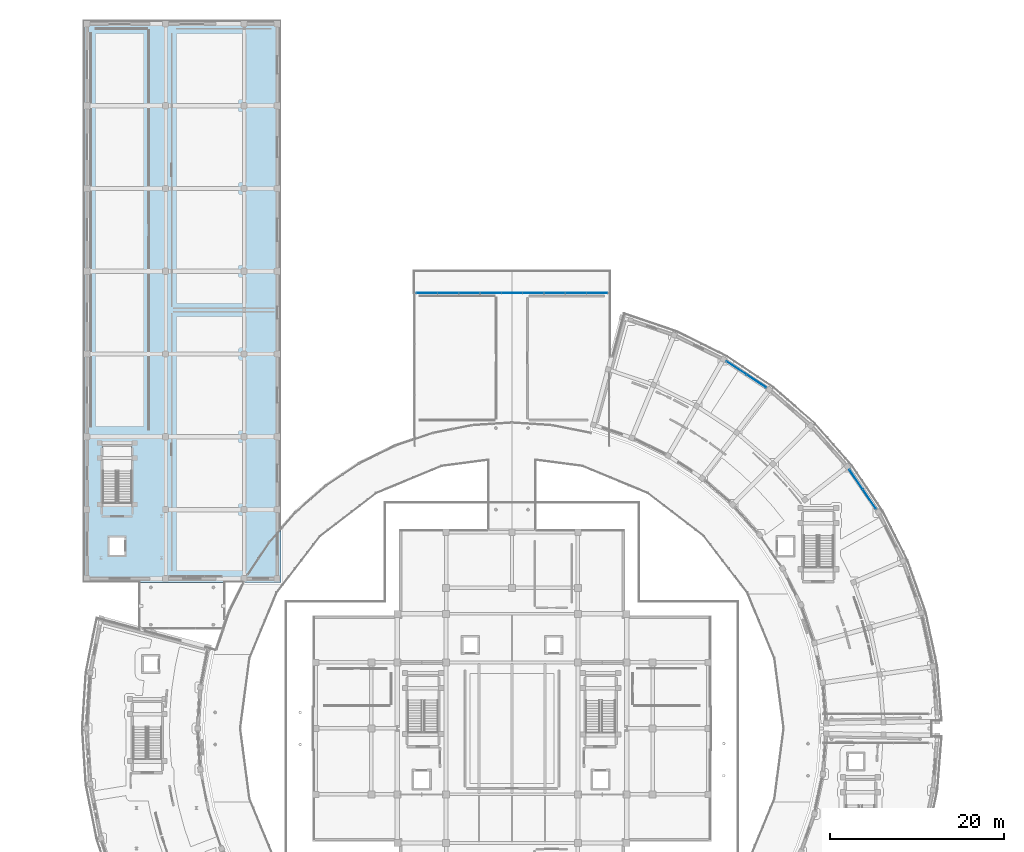
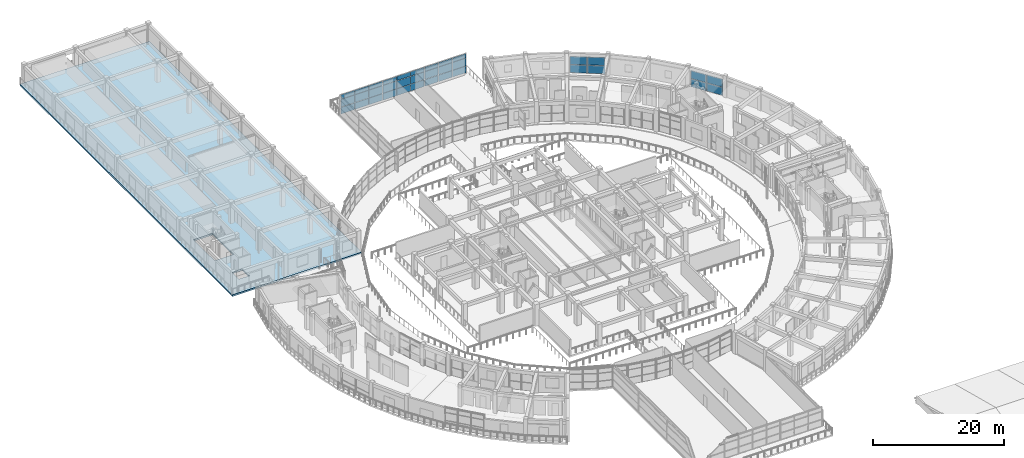
# One storey, part 50 of 83: 35 plates, 1 slab, 5 elements without a shape of their own.
"""IFC4 building model written with IfcOpenShell, lengths in metres."""

from ifc_helpers import new_model, si_unit, direction, frame, origin, origin_2d, place, context, subcontext, project, spatial, polyline, rectangle, outline, extrude, material, layer, layer_set, type_object, element, aggregate, save


model = new_model("IFC4")

# Units and contexts
model_context = context("Model", 3, precision=1e-05, world=origin(), true_north=direction((0.0, 1.0)))
body_context = subcontext(model_context, "Body", "Model", "MODEL_VIEW")
ifc_project = project(units=[si_unit("LENGTHUNIT", "METRE"), si_unit("AREAUNIT", "SQUARE_METRE"), si_unit("VOLUMEUNIT", "CUBIC_METRE"), si_unit("PLANEANGLEUNIT", "RADIAN"), si_unit("MASSUNIT", "GRAM", prefix="KILO")], contexts=[model_context])

# Site, building, storey
site_placement = place(None, origin())
site = spatial("IfcSite", under=ifc_project, at=site_placement, CompositionType="ELEMENT")
building_placement = place(site_placement, origin())
building = spatial("IfcBuilding", under=site, at=building_placement, Name="Saryqyr Civic Hall", CompositionType="ELEMENT")
storey_placement = place(building_placement, frame((0.0, 0.0, 9.14990234375)))
storey = spatial("IfcBuildingStorey", under=building, at=storey_placement, Name="L02", CompositionType="ELEMENT", Elevation=9.14990234375)

# Curtain wall, plates
ifc_material_1 = material(Name="Anodised aluminium and triple low-E glass", Category="aluminium")
curtain_wall_type_1 = type_object("IfcCurtainWallType", Name="ENV-CW-STD-47", PredefinedType="NOTDEFINED", material=ifc_material_1)
curtain_wall_1_placement = place(storey_placement, origin())
curtain_wall_1 = element("IfcCurtainWall", 1, at=curtain_wall_1_placement, inside=storey, type_object=curtain_wall_type_1, Name="Curtain wall V6-CWO-L02-04", PredefinedType="NOTDEFINED")
ifc_material_2 = material(Name="Triple low-E insulated glazing", Category="glass")
ifc_layer_1 = layer(ifc_material_2, 0.053955078125, Name="Triple low-E insulated glazing")
ifc_layer_set_1 = layer_set([ifc_layer_1], Name="Triple low-E insulated glazing")
plate_type_1 = type_object("IfcPlateType", Name="ENV-CW-PNL-38", PredefinedType="CURTAIN_PANEL", material=ifc_layer_set_1)
plate_1_placement = place(storey_placement, frame((96.640869140625, 112.660888671875, 0.06005859375), z_axis=(0.0, 0.0, 1.0), x_axis=(0.563117564, -0.826376796089, 0.0)))
plate_1 = element("IfcPlate", 2, at=plate_1_placement, type_object=plate_type_1, Name="CW-47 panel 1.1", PredefinedType="CURTAIN_PANEL", context=body_context, shape_type="SweptSolid", body=[
    extrude(rectangle(XDim=2.662841796875, YDim=0.053955078125, at=origin_2d()), origin(), (0.0, 0.0, 1.0), 1.491943359375),
])
plate_2_placement = place(storey_placement, frame((96.640869140625, 112.660888671875, 1.6123046875), z_axis=(0.0, 0.0, 1.0), x_axis=(0.563117564, -0.826376796089, 0.0)))
plate_2 = element("IfcPlate", 3, at=plate_2_placement, type_object=plate_type_1, Name="CW-47 panel 1.2", PredefinedType="CURTAIN_PANEL", context=body_context, shape_type="SweptSolid", body=[
    extrude(rectangle(XDim=2.662841796875, YDim=0.053955078125, at=origin_2d()), origin(), (0.0, 0.0, 1.0), 1.492919921875),
])
plate_3_placement = place(storey_placement, frame((98.174072265625, 110.41064453125, 0.06005859375), z_axis=(0.0, 0.0, 1.0), x_axis=(0.563117564, -0.826376796089, 0.0)))
plate_3 = element("IfcPlate", 4, at=plate_3_placement, type_object=plate_type_1, Name="CW-47 panel 2.1", PredefinedType="CURTAIN_PANEL", context=body_context, shape_type="SweptSolid", body=[
    extrude(rectangle(XDim=2.662841796875, YDim=0.053955078125, at=origin_2d()), origin(), (0.0, 0.0, 1.0), 1.491943359375),
])
plate_4_placement = place(storey_placement, frame((98.174072265625, 110.41064453125, 1.6123046875), z_axis=(0.0, 0.0, 1.0), x_axis=(0.563117564, -0.826376796089, 0.0)))
plate_4 = element("IfcPlate", 5, at=plate_4_placement, type_object=plate_type_1, Name="CW-47 panel 2.2", PredefinedType="CURTAIN_PANEL", context=body_context, shape_type="SweptSolid", body=[
    extrude(rectangle(XDim=2.662841796875, YDim=0.053955078125, at=origin_2d()), origin(), (0.0, 0.0, 1.0), 1.492919921875),
])
aggregate(curtain_wall_1, [plate_1, plate_2, plate_3, plate_4])

curtain_wall_2_placement = place(storey_placement, origin())
curtain_wall_2 = element("IfcCurtainWall", 6, at=curtain_wall_2_placement, inside=storey, type_object=curtain_wall_type_1, Name="Curtain wall V6-CWO-L02-07", PredefinedType="NOTDEFINED")
plate_5_placement = place(storey_placement, frame((82.86083984375, 125.52197265625, 0.06005859375), z_axis=(0.0, 0.0, 1.0), x_axis=(0.833756980548, -0.552131594266, 0.0)))
plate_5 = element("IfcPlate", 7, at=plate_5_placement, type_object=plate_type_1, Name="CW-47 panel 1.1", PredefinedType="CURTAIN_PANEL", context=body_context, shape_type="SweptSolid", body=[
    extrude(rectangle(XDim=2.66650390625, YDim=0.053955078125, at=origin_2d()), origin(), (0.0, 0.0, 1.0), 1.491943359375),
])
plate_6_placement = place(storey_placement, frame((82.86083984375, 125.52197265625, 1.6123046875), z_axis=(0.0, 0.0, 1.0), x_axis=(0.833756980548, -0.552131594266, 0.0)))
plate_6 = element("IfcPlate", 8, at=plate_6_placement, type_object=plate_type_1, Name="CW-47 panel 1.2", PredefinedType="CURTAIN_PANEL", context=body_context, shape_type="SweptSolid", body=[
    extrude(rectangle(XDim=2.66650390625, YDim=0.053955078125, at=origin_2d()), origin(), (0.0, 0.0, 1.0), 1.492919921875),
])
plate_7_placement = place(storey_placement, frame((85.134033203125, 124.0166015625, 0.06005859375), z_axis=(0.0, 0.0, 1.0), x_axis=(0.833756980548, -0.552131594266, 0.0)))
plate_7 = element("IfcPlate", 9, at=plate_7_placement, type_object=plate_type_1, Name="CW-47 panel 2.1", PredefinedType="CURTAIN_PANEL", context=body_context, shape_type="SweptSolid", body=[
    extrude(rectangle(XDim=2.66650390625, YDim=0.053955078125, at=origin_2d()), origin(), (0.0, 0.0, 1.0), 1.491943359375),
])
plate_8_placement = place(storey_placement, frame((85.134033203125, 124.0166015625, 1.6123046875), z_axis=(0.0, 0.0, 1.0), x_axis=(0.833756980548, -0.552131594266, 0.0)))
plate_8 = element("IfcPlate", 10, at=plate_8_placement, type_object=plate_type_1, Name="CW-47 panel 2.2", PredefinedType="CURTAIN_PANEL", context=body_context, shape_type="SweptSolid", body=[
    extrude(rectangle(XDim=2.66650390625, YDim=0.053955078125, at=origin_2d()), origin(), (0.0, 0.0, 1.0), 1.492919921875),
])
aggregate(curtain_wall_2, [plate_5, plate_6, plate_7, plate_8])

curtain_wall_type_2 = type_object("IfcCurtainWallType", Name="ENV-CW-HVY-69", PredefinedType="NOTDEFINED", material=ifc_material_1)
curtain_wall_3_placement = place(storey_placement, origin())
curtain_wall_3 = element("IfcCurtainWall", 11, at=curtain_wall_3_placement, inside=storey, type_object=curtain_wall_type_2, Name="Curtain wall V2-PORTAL-CW-N-L02-0", PredefinedType="NOTDEFINED")
ifc_material_3 = material(Name="Acoustic laminated low-E glazing", Category="glass")
ifc_layer_2 = layer(ifc_material_3, 0.072021484375, Name="Acoustic laminated low-E glazing")
ifc_layer_set_2 = layer_set([ifc_layer_2], Name="Acoustic laminated low-E glazing")
plate_type_2 = type_object("IfcPlateType", Name="ENV-CW-PNL-52", PredefinedType="CURTAIN_PANEL", material=ifc_layer_set_2)
plate_9_placement = place(storey_placement, frame((47.1953125, 134.14990234375, 0.070068359375), z_axis=(0.0, 0.0, 1.0), x_axis=(1.0, 0.0, 0.0)))
plate_9 = element("IfcPlate", 12, at=plate_9_placement, type_object=plate_type_2, Name="CW-69 panel 1.1", PredefinedType="CURTAIN_PANEL", context=body_context, shape_type="SweptSolid", body=[
    extrude(rectangle(XDim=2.3505859375, YDim=0.072021484375, at=origin_2d()), origin(), (0.0, 0.0, 1.0), 1.22705078125),
])
plate_10_placement = place(storey_placement, frame((47.1953125, 134.14990234375, 1.3671875), z_axis=(0.0, 0.0, 1.0), x_axis=(1.0, 0.0, 0.0)))
plate_10 = element("IfcPlate", 13, at=plate_10_placement, type_object=plate_type_2, Name="CW-69 panel 1.2", PredefinedType="CURTAIN_PANEL", context=body_context, shape_type="SweptSolid", body=[
    extrude(rectangle(XDim=2.3505859375, YDim=0.072021484375, at=origin_2d()), origin(), (0.0, 0.0, 1.0), 1.409912109375),
])
plate_11_placement = place(storey_placement, frame((47.1953125, 134.14990234375, 2.84716796875), z_axis=(0.0, 0.0, 1.0), x_axis=(1.0, 0.0, 0.0)))
plate_11 = element("IfcPlate", 14, at=plate_11_placement, type_object=plate_type_2, Name="CW-69 panel 1.3", PredefinedType="CURTAIN_PANEL", context=body_context, shape_type="SweptSolid", body=[
    extrude(rectangle(XDim=2.3505859375, YDim=0.072021484375, at=origin_2d()), origin(), (0.0, 0.0, 1.0), 0.782958984375),
])
plate_12_placement = place(storey_placement, frame((49.63330078125, 134.14990234375, 0.070068359375), z_axis=(0.0, 0.0, 1.0), x_axis=(1.0, 0.0, 0.0)))
plate_12 = element("IfcPlate", 15, at=plate_12_placement, type_object=plate_type_2, Name="CW-69 panel 2.1", PredefinedType="CURTAIN_PANEL", context=body_context, shape_type="SweptSolid", body=[
    extrude(rectangle(XDim=2.385498046875, YDim=0.072021484375, at=origin_2d()), origin(), (0.0, 0.0, 1.0), 1.22705078125),
])
plate_13_placement = place(storey_placement, frame((49.63330078125, 134.14990234375, 1.3671875), z_axis=(0.0, 0.0, 1.0), x_axis=(1.0, 0.0, 0.0)))
plate_13 = element("IfcPlate", 16, at=plate_13_placement, type_object=plate_type_2, Name="CW-69 panel 2.2", PredefinedType="CURTAIN_PANEL", context=body_context, shape_type="SweptSolid", body=[
    extrude(rectangle(XDim=2.385498046875, YDim=0.072021484375, at=origin_2d()), origin(), (0.0, 0.0, 1.0), 1.409912109375),
])
plate_14_placement = place(storey_placement, frame((49.63330078125, 134.14990234375, 2.84716796875), z_axis=(0.0, 0.0, 1.0), x_axis=(1.0, 0.0, 0.0)))
plate_14 = element("IfcPlate", 17, at=plate_14_placement, type_object=plate_type_2, Name="CW-69 panel 2.3", PredefinedType="CURTAIN_PANEL", context=body_context, shape_type="SweptSolid", body=[
    extrude(rectangle(XDim=2.385498046875, YDim=0.072021484375, at=origin_2d()), origin(), (0.0, 0.0, 1.0), 0.782958984375),
])
plate_15_placement = place(storey_placement, frame((52.071533203125, 134.14990234375, 0.070068359375), z_axis=(0.0, 0.0, 1.0), x_axis=(1.0, 0.0, 0.0)))
plate_15 = element("IfcPlate", 18, at=plate_15_placement, type_object=plate_type_2, Name="CW-69 panel 3.1", PredefinedType="CURTAIN_PANEL", context=body_context, shape_type="SweptSolid", body=[
    extrude(rectangle(XDim=2.3505859375, YDim=0.072021484375, at=origin_2d()), origin(), (0.0, 0.0, 1.0), 1.22705078125),
])
plate_16_placement = place(storey_placement, frame((52.071533203125, 134.14990234375, 1.3671875), z_axis=(0.0, 0.0, 1.0), x_axis=(1.0, 0.0, 0.0)))
plate_16 = element("IfcPlate", 19, at=plate_16_placement, type_object=plate_type_2, Name="CW-69 panel 3.2", PredefinedType="CURTAIN_PANEL", context=body_context, shape_type="SweptSolid", body=[
    extrude(rectangle(XDim=2.3505859375, YDim=0.072021484375, at=origin_2d()), origin(), (0.0, 0.0, 1.0), 1.409912109375),
])
plate_17_placement = place(storey_placement, frame((52.071533203125, 134.14990234375, 2.84716796875), z_axis=(0.0, 0.0, 1.0), x_axis=(1.0, 0.0, 0.0)))
plate_17 = element("IfcPlate", 20, at=plate_17_placement, type_object=plate_type_2, Name="CW-69 panel 3.3", PredefinedType="CURTAIN_PANEL", context=body_context, shape_type="SweptSolid", body=[
    extrude(rectangle(XDim=2.3505859375, YDim=0.072021484375, at=origin_2d()), origin(), (0.0, 0.0, 1.0), 0.782958984375),
])
aggregate(curtain_wall_3, [plate_9, plate_10, plate_11, plate_12, plate_13, plate_14, plate_15, plate_16, plate_17])

curtain_wall_4_placement = place(storey_placement, origin())
curtain_wall_4 = element("IfcCurtainWall", 21, at=curtain_wall_4_placement, inside=storey, type_object=curtain_wall_type_2, Name="Curtain wall V2-PORTAL-CW-N-L02-1", PredefinedType="NOTDEFINED")
plate_18_placement = place(storey_placement, frame((54.56201171875, 134.14990234375, 0.070068359375), z_axis=(0.0, 0.0, 1.0), x_axis=(1.0, 0.0, 0.0)))
plate_18 = element("IfcPlate", 22, at=plate_18_placement, type_object=plate_type_2, Name="CW-69 panel 1.1", PredefinedType="CURTAIN_PANEL", context=body_context, shape_type="SweptSolid", body=[
    extrude(rectangle(XDim=2.3505859375, YDim=0.072021484375, at=origin_2d()), origin(), (0.0, 0.0, 1.0), 1.22705078125),
])
plate_19_placement = place(storey_placement, frame((54.56201171875, 134.14990234375, 1.3671875), z_axis=(0.0, 0.0, 1.0), x_axis=(1.0, 0.0, 0.0)))
plate_19 = element("IfcPlate", 23, at=plate_19_placement, type_object=plate_type_2, Name="CW-69 panel 1.2", PredefinedType="CURTAIN_PANEL", context=body_context, shape_type="SweptSolid", body=[
    extrude(rectangle(XDim=2.3505859375, YDim=0.072021484375, at=origin_2d()), origin(), (0.0, 0.0, 1.0), 1.409912109375),
])
plate_20_placement = place(storey_placement, frame((54.56201171875, 134.14990234375, 2.84716796875), z_axis=(0.0, 0.0, 1.0), x_axis=(1.0, 0.0, 0.0)))
plate_20 = element("IfcPlate", 24, at=plate_20_placement, type_object=plate_type_2, Name="CW-69 panel 1.3", PredefinedType="CURTAIN_PANEL", context=body_context, shape_type="SweptSolid", body=[
    extrude(rectangle(XDim=2.3505859375, YDim=0.072021484375, at=origin_2d()), origin(), (0.0, 0.0, 1.0), 0.782958984375),
])
plate_21_placement = place(storey_placement, frame((57.0, 134.14990234375, 0.070068359375), z_axis=(0.0, 0.0, 1.0), x_axis=(1.0, 0.0, 0.0)))
plate_21 = element("IfcPlate", 25, at=plate_21_placement, type_object=plate_type_2, Name="CW-69 panel 2.1", PredefinedType="CURTAIN_PANEL", context=body_context, shape_type="SweptSolid", body=[
    extrude(rectangle(XDim=2.385498046875, YDim=0.072021484375, at=origin_2d()), origin(), (0.0, 0.0, 1.0), 1.22705078125),
])
plate_22_placement = place(storey_placement, frame((57.0, 134.14990234375, 1.3671875), z_axis=(0.0, 0.0, 1.0), x_axis=(1.0, 0.0, 0.0)))
plate_22 = element("IfcPlate", 26, at=plate_22_placement, type_object=plate_type_2, Name="CW-69 panel 2.2", PredefinedType="CURTAIN_PANEL", context=body_context, shape_type="SweptSolid", body=[
    extrude(rectangle(XDim=2.385498046875, YDim=0.072021484375, at=origin_2d()), origin(), (0.0, 0.0, 1.0), 1.409912109375),
])
plate_23_placement = place(storey_placement, frame((57.0, 134.14990234375, 2.84716796875), z_axis=(0.0, 0.0, 1.0), x_axis=(1.0, 0.0, 0.0)))
plate_23 = element("IfcPlate", 27, at=plate_23_placement, type_object=plate_type_2, Name="CW-69 panel 2.3", PredefinedType="CURTAIN_PANEL", context=body_context, shape_type="SweptSolid", body=[
    extrude(rectangle(XDim=2.385498046875, YDim=0.072021484375, at=origin_2d()), origin(), (0.0, 0.0, 1.0), 0.782958984375),
])
plate_24_placement = place(storey_placement, frame((59.43798828125, 134.14990234375, 0.070068359375), z_axis=(0.0, 0.0, 1.0), x_axis=(1.0, 0.0, 0.0)))
plate_24 = element("IfcPlate", 28, at=plate_24_placement, type_object=plate_type_2, Name="CW-69 panel 3.1", PredefinedType="CURTAIN_PANEL", context=body_context, shape_type="SweptSolid", body=[
    extrude(rectangle(XDim=2.3505859375, YDim=0.072021484375, at=origin_2d()), origin(), (0.0, 0.0, 1.0), 1.22705078125),
])
plate_25_placement = place(storey_placement, frame((59.43798828125, 134.14990234375, 1.3671875), z_axis=(0.0, 0.0, 1.0), x_axis=(1.0, 0.0, 0.0)))
plate_25 = element("IfcPlate", 29, at=plate_25_placement, type_object=plate_type_2, Name="CW-69 panel 3.2", PredefinedType="CURTAIN_PANEL", context=body_context, shape_type="SweptSolid", body=[
    extrude(rectangle(XDim=2.3505859375, YDim=0.072021484375, at=origin_2d()), origin(), (0.0, 0.0, 1.0), 1.409912109375),
])
plate_26_placement = place(storey_placement, frame((59.43798828125, 134.14990234375, 2.84716796875), z_axis=(0.0, 0.0, 1.0), x_axis=(1.0, 0.0, 0.0)))
plate_26 = element("IfcPlate", 30, at=plate_26_placement, type_object=plate_type_2, Name="CW-69 panel 3.3", PredefinedType="CURTAIN_PANEL", context=body_context, shape_type="SweptSolid", body=[
    extrude(rectangle(XDim=2.3505859375, YDim=0.072021484375, at=origin_2d()), origin(), (0.0, 0.0, 1.0), 0.782958984375),
])
aggregate(curtain_wall_4, [plate_18, plate_19, plate_20, plate_21, plate_22, plate_23, plate_24, plate_25, plate_26])

curtain_wall_5_placement = place(storey_placement, origin())
curtain_wall_5 = element("IfcCurtainWall", 31, at=curtain_wall_5_placement, inside=storey, type_object=curtain_wall_type_2, Name="Curtain wall V2-PORTAL-CW-N-L02-2", PredefinedType="NOTDEFINED")
plate_27_placement = place(storey_placement, frame((61.928466796875, 134.14990234375, 0.070068359375), z_axis=(0.0, 0.0, 1.0), x_axis=(1.0, 0.0, 0.0)))
plate_27 = element("IfcPlate", 32, at=plate_27_placement, type_object=plate_type_2, Name="CW-69 panel 1.1", PredefinedType="CURTAIN_PANEL", context=body_context, shape_type="SweptSolid", body=[
    extrude(rectangle(XDim=2.3505859375, YDim=0.072021484375, at=origin_2d()), origin(), (0.0, 0.0, 1.0), 1.22705078125),
])
plate_28_placement = place(storey_placement, frame((61.928466796875, 134.14990234375, 1.3671875), z_axis=(0.0, 0.0, 1.0), x_axis=(1.0, 0.0, 0.0)))
plate_28 = element("IfcPlate", 33, at=plate_28_placement, type_object=plate_type_2, Name="CW-69 panel 1.2", PredefinedType="CURTAIN_PANEL", context=body_context, shape_type="SweptSolid", body=[
    extrude(rectangle(XDim=2.3505859375, YDim=0.072021484375, at=origin_2d()), origin(), (0.0, 0.0, 1.0), 1.409912109375),
])
plate_29_placement = place(storey_placement, frame((61.928466796875, 134.14990234375, 2.84716796875), z_axis=(0.0, 0.0, 1.0), x_axis=(1.0, 0.0, 0.0)))
plate_29 = element("IfcPlate", 34, at=plate_29_placement, type_object=plate_type_2, Name="CW-69 panel 1.3", PredefinedType="CURTAIN_PANEL", context=body_context, shape_type="SweptSolid", body=[
    extrude(rectangle(XDim=2.3505859375, YDim=0.072021484375, at=origin_2d()), origin(), (0.0, 0.0, 1.0), 0.782958984375),
])
plate_30_placement = place(storey_placement, frame((64.36669921875, 134.14990234375, 0.070068359375), z_axis=(0.0, 0.0, 1.0), x_axis=(1.0, 0.0, 0.0)))
plate_30 = element("IfcPlate", 35, at=plate_30_placement, type_object=plate_type_2, Name="CW-69 panel 2.1", PredefinedType="CURTAIN_PANEL", context=body_context, shape_type="SweptSolid", body=[
    extrude(rectangle(XDim=2.385498046875, YDim=0.072021484375, at=origin_2d()), origin(), (0.0, 0.0, 1.0), 1.22705078125),
])
plate_31_placement = place(storey_placement, frame((64.36669921875, 134.14990234375, 1.3671875), z_axis=(0.0, 0.0, 1.0), x_axis=(1.0, 0.0, 0.0)))
plate_31 = element("IfcPlate", 36, at=plate_31_placement, type_object=plate_type_2, Name="CW-69 panel 2.2", PredefinedType="CURTAIN_PANEL", context=body_context, shape_type="SweptSolid", body=[
    extrude(rectangle(XDim=2.385498046875, YDim=0.072021484375, at=origin_2d()), origin(), (0.0, 0.0, 1.0), 1.409912109375),
])
plate_32_placement = place(storey_placement, frame((64.36669921875, 134.14990234375, 2.84716796875), z_axis=(0.0, 0.0, 1.0), x_axis=(1.0, 0.0, 0.0)))
plate_32 = element("IfcPlate", 37, at=plate_32_placement, type_object=plate_type_2, Name="CW-69 panel 2.3", PredefinedType="CURTAIN_PANEL", context=body_context, shape_type="SweptSolid", body=[
    extrude(rectangle(XDim=2.385498046875, YDim=0.072021484375, at=origin_2d()), origin(), (0.0, 0.0, 1.0), 0.782958984375),
])
plate_33_placement = place(storey_placement, frame((66.8046875, 134.14990234375, 0.070068359375), z_axis=(0.0, 0.0, 1.0), x_axis=(1.0, 0.0, 0.0)))
plate_33 = element("IfcPlate", 38, at=plate_33_placement, type_object=plate_type_2, Name="CW-69 panel 3.1", PredefinedType="CURTAIN_PANEL", context=body_context, shape_type="SweptSolid", body=[
    extrude(rectangle(XDim=2.3505859375, YDim=0.072021484375, at=origin_2d()), origin(), (0.0, 0.0, 1.0), 1.22705078125),
])
plate_34_placement = place(storey_placement, frame((66.8046875, 134.14990234375, 1.3671875), z_axis=(0.0, 0.0, 1.0), x_axis=(1.0, 0.0, 0.0)))
plate_34 = element("IfcPlate", 39, at=plate_34_placement, type_object=plate_type_2, Name="CW-69 panel 3.2", PredefinedType="CURTAIN_PANEL", context=body_context, shape_type="SweptSolid", body=[
    extrude(rectangle(XDim=2.3505859375, YDim=0.072021484375, at=origin_2d()), origin(), (0.0, 0.0, 1.0), 1.409912109375),
])
plate_35_placement = place(storey_placement, frame((66.8046875, 134.14990234375, 2.84716796875), z_axis=(0.0, 0.0, 1.0), x_axis=(1.0, 0.0, 0.0)))
plate_35 = element("IfcPlate", 40, at=plate_35_placement, type_object=plate_type_2, Name="CW-69 panel 3.3", PredefinedType="CURTAIN_PANEL", context=body_context, shape_type="SweptSolid", body=[
    extrude(rectangle(XDim=2.3505859375, YDim=0.072021484375, at=origin_2d()), origin(), (0.0, 0.0, 1.0), 0.782958984375),
])
aggregate(curtain_wall_5, [plate_27, plate_28, plate_29, plate_30, plate_31, plate_32, plate_33, plate_34, plate_35])

# Slab
ifc_material_4 = material(Name="Concrete C35/45", Category="concrete")
ifc_layer_3 = layer(ifc_material_4, 0.300048828125, Name="Concrete C35/45")
ifc_layer_set_3 = layer_set([ifc_layer_3], Name="Concrete C35/45")
slab_type = type_object("IfcSlabType", Name="STR-SLB-FLR-300", PredefinedType="FLOOR", material=ifc_layer_set_3)
slab_placement = place(storey_placement, frame((0.0, 0.0, -0.2998046875)))
element("IfcSlab", 41, at=slab_placement, inside=storey, type_object=slab_type, Name="Slab SLB-V3-L02", PredefinedType="FLOOR", context=body_context, shape_type="SweptSolid", body=[
    extrude(outline(polyline([(30.39990234375, 165.60009765625), (30.39990234375, 100.800048828125), (7.60009765625, 100.800048828125), (7.60009765625, 165.60009765625), (30.39990234375, 165.60009765625)]), holes=[polyline([(12.39990234375, 103.949951171875), (12.39990234375, 106.050048828125), (10.60009765625, 106.050048828125), (10.60009765625, 103.949951171875), (12.39990234375, 103.949951171875)]), polyline([(13.199951171875, 116.5), (9.840087890625, 116.5), (9.840087890625, 110.080078125), (13.199951171875, 110.080078125), (13.199951171875, 116.5)])]), origin(), (0.0, 0.0, 1.0), 0.2998046875),
])

save(model, "model.ifc")
